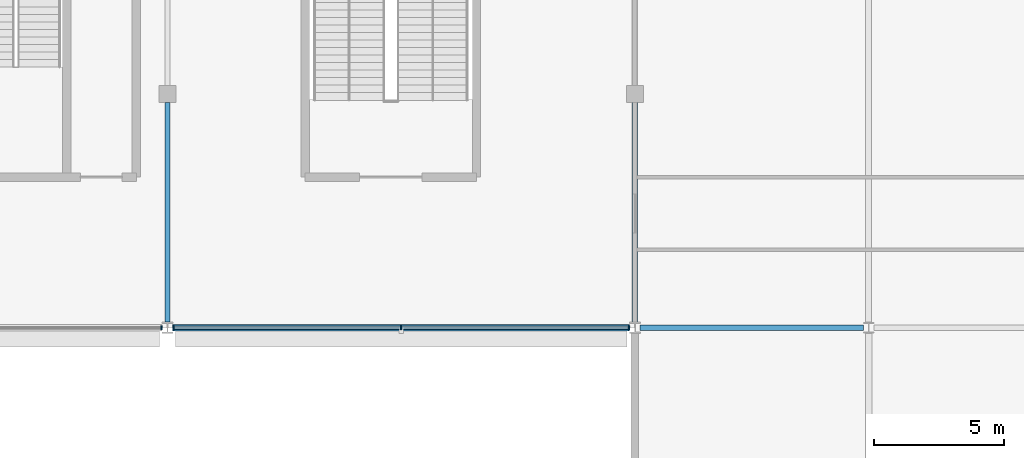
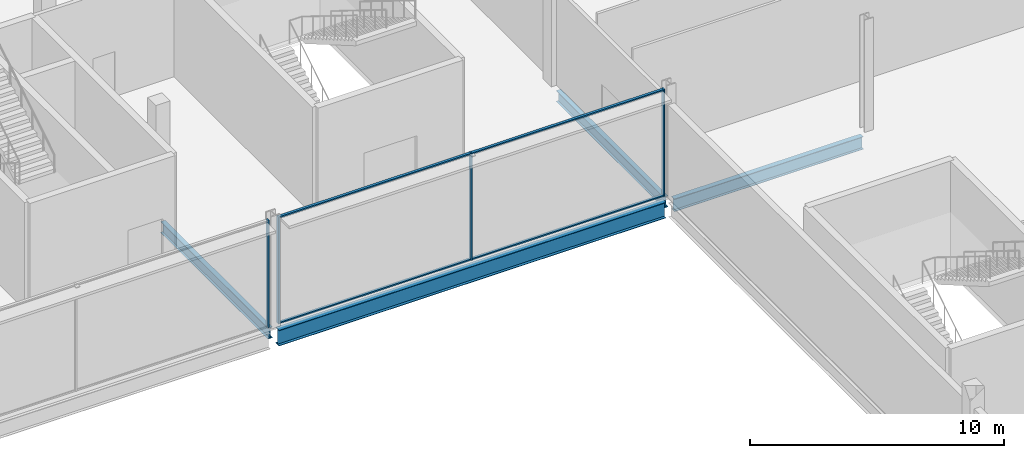
# One storey, part 49 of 111: 8 members, 4 beams, 2 elements without a shape of their own.
"""IFC4 building model written with IfcOpenShell, lengths in metres."""

import ifcopenshell
import ifcopenshell.guid

model = None  # the IFC model being written
_history = None  # IfcOwnerHistory: only IFC2X3 demands one
_inside = {}  # id of a spatial element -> (the spatial element, [elements in it])
_under = {}  # id of a project, library or spatial element -> (it, [spatial elements below it])
_declared = {}  # id of a project -> (the project, [libraries it declares])
_typed = {}  # id of a type object -> (the type object, [elements of that type])
_made_of = {}  # id of a material, layer set ... -> (it, [elements and type objects made of it])


def new_model(schema):
    """Start an empty IFC model of exactly this schema.

    Asked for "IFC4X3", IfcOpenShell would pick the latest addendum, in which some entities
    have other attributes; the version numbers below select the first issue.
    IFC2X3 requires an IfcOwnerHistory on every rooted entity: one is made here for all.
    """
    global model, _history
    if schema == "IFC4X3":
        model = ifcopenshell.file(schema_version=(4, 3, 0, 0))
    else:
        model = ifcopenshell.file(schema=schema)
    _inside.clear()
    _under.clear()
    _declared.clear()
    _typed.clear()
    _made_of.clear()
    _history = None
    if model.schema == "IFC2X3":
        org = make("IfcOrganization", Name="unknown")
        user = make(
            "IfcPersonAndOrganization",
            ThePerson=make("IfcPerson", FamilyName="unknown"),
            TheOrganization=org,
        )
        app = make(
            "IfcApplication",
            ApplicationDeveloper=org,
            Version="unknown",
            ApplicationFullName="unknown",
            ApplicationIdentifier="unknown",
        )
        _history = make(
            "IfcOwnerHistory",
            OwningUser=user,
            OwningApplication=app,
            ChangeAction="ADDED",
            CreationDate=0,
        )
    return model


def make(cls, **values):
    """One entity of the class cls with the attributes given. An attribute that is None is left unset."""
    return model.create_entity(
        cls, **{name: value for name, value in values.items() if value is not None}
    )


def rooted(cls, **values):
    """An entity with a GlobalId (a new one), such as an element, a storey or a relation."""
    return make(cls, GlobalId=ifcopenshell.guid.new(), OwnerHistory=_history, **values)


def si_unit(unit_type, name, prefix=None):
    """IfcSIUnit, for example si_unit("LENGTHUNIT", "METRE", prefix="MILLI")."""
    return make("IfcSIUnit", UnitType=unit_type, Prefix=prefix, Name=name)


def assignment(units):
    """IfcUnitAssignment: the units of a project."""
    return None if units is None else make("IfcUnitAssignment", Units=units)


def point(xyz):
    """IfcCartesianPoint."""
    return None if xyz is None else make("IfcCartesianPoint", Coordinates=xyz)


def direction(xyz):
    """IfcDirection."""
    return None if xyz is None else make("IfcDirection", DirectionRatios=xyz)


def frame(location, z_axis=None, x_axis=None):
    """IfcAxis2Placement3D, a coordinate frame: its origin and axes. An axis left out is left unset."""
    return make(
        "IfcAxis2Placement3D",
        Location=point(location),
        Axis=direction(z_axis),
        RefDirection=direction(x_axis),
    )


def frame_2d(location, x_axis=None):
    """IfcAxis2Placement2D, a coordinate frame in the plane: its origin and x axis."""
    return make(
        "IfcAxis2Placement2D", Location=point(location), RefDirection=direction(x_axis)
    )


def origin():
    """The frame at (0, 0, 0) with its axes left unset."""
    return frame((0.0, 0.0, 0.0))


def origin_2d():
    """The frame at (0, 0) in the plane with its x axis left unset."""
    return frame_2d((0.0, 0.0))


def place(relative_to, where):
    """IfcLocalPlacement: puts the frame where relative to a parent placement (None: the world)."""
    return make(
        "IfcLocalPlacement", PlacementRelTo=relative_to, RelativePlacement=where
    )


def context(
    kind, dimensions, precision=None, world=None, true_north=None, identifier=None
):
    """IfcGeometricRepresentationContext, for example the 3D "Model" context."""
    return make(
        "IfcGeometricRepresentationContext",
        ContextIdentifier=identifier,
        ContextType=kind,
        CoordinateSpaceDimension=dimensions,
        Precision=precision,
        WorldCoordinateSystem=world,
        TrueNorth=true_north,
    )


def subcontext(parent, identifier, kind, view, scale=None):
    """IfcGeometricRepresentationSubContext, for example "Body" below "Model"."""
    return make(
        "IfcGeometricRepresentationSubContext",
        ContextIdentifier=identifier,
        ContextType=kind,
        ParentContext=parent,
        TargetScale=scale,
        TargetView=view,
    )


def project(units=None, contexts=None):
    """IfcProject with its units and contexts."""
    return rooted(
        "IfcProject",
        Name="project",
        RepresentationContexts=contexts,
        UnitsInContext=assignment(units),
    )


def spatial(cls, under=None, at=None, **own):
    """A site, building, storey or space (cls), placed at a placement, below another one or the project."""
    s = rooted(cls, ObjectPlacement=at, **own)
    if under is not None:
        _under.setdefault(under.id(), (under, []))[1].append(s)
    return s


def profile(cls, at=None, kind="AREA", **sizes):
    """A parametric profile (cls). Its sizes go by their IFC names, for example OverallWidth=200.0."""
    return make(cls, ProfileType=kind, Position=at, **sizes)


def rectangle(**sizes):
    """IfcRectangleProfileDef."""
    return profile("IfcRectangleProfileDef", **sizes)


def i_section(**sizes):
    """IfcIShapeProfileDef."""
    return profile("IfcIShapeProfileDef", **sizes)


def extrude(swept, where, along, depth):
    """IfcExtrudedAreaSolid: the profile swept, set in the frame where, extruded along a direction by depth."""
    return make(
        "IfcExtrudedAreaSolid",
        SweptArea=swept,
        Position=where,
        ExtrudedDirection=direction(along),
        Depth=depth,
    )


def shape(context_of_items, identifier, shape_type, items):
    """IfcShapeRepresentation: the items that make up one representation, for example the "Body"."""
    return make(
        "IfcShapeRepresentation",
        ContextOfItems=context_of_items,
        RepresentationIdentifier=identifier,
        RepresentationType=shape_type,
        Items=items,
    )


def material(Name=None, Category=None):
    """IfcMaterial."""
    return make("IfcMaterial", Name=Name, Category=Category)


def layer(
    of_material, thickness, ventilated=None, Name=None, Category=None, Priority=None
):
    """IfcMaterialLayer: one layer of a wall or slab, of a material (None: an air gap)."""
    return make(
        "IfcMaterialLayer",
        Material=of_material,
        LayerThickness=thickness,
        IsVentilated=ventilated,
        Name=Name,
        Category=Category,
        Priority=Priority,
    )


def layer_set(layers, Name=None):
    """IfcMaterialLayerSet."""
    return make("IfcMaterialLayerSet", MaterialLayers=layers, LayerSetName=Name)


def material_profile(
    of_material, cross_section, Name=None, Category=None, Priority=None
):
    """IfcMaterialProfile: a cross section and its material."""
    return make(
        "IfcMaterialProfile",
        Name=Name,
        Material=of_material,
        Profile=cross_section,
        Priority=Priority,
        Category=Category,
    )


def profile_set(profiles, Name=None, composite=None):
    """IfcMaterialProfileSet."""
    return make(
        "IfcMaterialProfileSet",
        Name=Name,
        MaterialProfiles=profiles,
        CompositeProfile=composite,
    )


def made_of(thing, what):
    """Note that an element or type object is made of a material, layer set ...; save() writes the relation."""
    if what is not None:
        _made_of.setdefault(what.id(), (what, []))[1].append(thing)
    return thing


def type_object(cls, material=None, **own):
    """A type object (cls), such as IfcWallType, which elements share."""
    return made_of(rooted(cls, **own), material)


def element(
    cls,
    number,
    at=None,
    inside=None,
    cuts=None,
    type_object=None,
    material=None,
    context=None,
    identifier="Body",
    shape_type=None,
    held_by="IfcProductDefinitionShape",
    body=None,
    shapes=None,
    **own,
):
    """One element of the class cls, such as IfcWall. Its Tag is "e" and its number.

    at: its placement. inside: the storey or other place that contains it. cuts: it is an
    opening in that element (IfcRelVoidsElement). A single representation is given by context,
    identifier, shape_type and body (its items); several are given by shapes. held_by: the class
    of the entity that holds the representations. save() writes the other relations.
    """
    e = rooted(cls, Tag="e%d" % number, ObjectPlacement=at, **own)
    if body is not None:
        shapes = [shape(context, identifier, shape_type, body)]
    if shapes is not None:
        e.Representation = make(held_by, Representations=shapes)
    if inside is not None:
        _inside.setdefault(inside.id(), (inside, []))[1].append(e)
    if cuts is not None:
        rooted(
            "IfcRelVoidsElement", RelatingBuildingElement=cuts, RelatedOpeningElement=e
        )
    if type_object is not None:
        _typed.setdefault(type_object.id(), (type_object, []))[1].append(e)
    return made_of(e, material)


def aggregate(whole, parts):
    """IfcRelAggregates: a whole, such as a stair, and the parts it consists of."""
    return rooted("IfcRelAggregates", RelatingObject=whole, RelatedObjects=parts)


def save(model, path):
    """Write the relations noted so far, then the file.

    IfcRelAggregates (storeys below a building ...), IfcRelContainedInSpatialStructure (elements
    in a storey), IfcRelDefinesByType, IfcRelAssociatesMaterial and IfcRelDeclares: one each for
    every whole, place, type object, material and project.
    """
    for whole, parts in _under.values():
        aggregate(whole, parts)
    for where, things in _inside.values():
        rooted(
            "IfcRelContainedInSpatialStructure",
            RelatedElements=things,
            RelatingStructure=where,
        )
    for kind, things in _typed.values():
        rooted("IfcRelDefinesByType", RelatedObjects=things, RelatingType=kind)
    for what, things in _made_of.values():
        rooted("IfcRelAssociatesMaterial", RelatedObjects=things, RelatingMaterial=what)
    for by, libraries in _declared.values():
        rooted("IfcRelDeclares", RelatingContext=by, RelatedDefinitions=libraries)
    model.write(path)


model = new_model("IFC4")

# Units and contexts
model_context = context("Model", 3, precision=1e-05, world=origin(), true_north=direction((0.0, 1.0)))
body_context = subcontext(model_context, "Body", "Model", "MODEL_VIEW")
ifc_project = project(units=[si_unit("LENGTHUNIT", "METRE"), si_unit("AREAUNIT", "SQUARE_METRE"), si_unit("VOLUMEUNIT", "CUBIC_METRE"), si_unit("PLANEANGLEUNIT", "RADIAN"), si_unit("MASSUNIT", "GRAM", prefix="KILO")], contexts=[model_context])

# Site, building, storey
site_placement = place(None, origin())
site = spatial("IfcSite", under=ifc_project, at=site_placement, CompositionType="ELEMENT")
building_placement = place(site_placement, origin())
building = spatial("IfcBuilding", under=site, at=building_placement, Name="Kisiwana Market Hall", CompositionType="ELEMENT")
storey_placement = place(building_placement, frame((0.0, 0.0, 11.39990234375)))
storey = spatial("IfcBuildingStorey", under=building, at=storey_placement, Name="L02", CompositionType="ELEMENT", Elevation=11.39990234375)

# Beams
ifc_material_1 = material(Name="Steel S355", Category="steel")
ifc_material_profile_1 = material_profile(ifc_material_1, i_section(OverallWidth=0.209228515625, OverallDepth=0.533203125, WebThickness=0.010009765625, FlangeThickness=0.015625, at=origin_2d()), Name="UB 533x210x92")
ifc_profile_set_1 = profile_set([ifc_material_profile_1], Name="Steel S355")
beam_type_1 = type_object("IfcBeamType", Name="BM-GIRD-UB533", PredefinedType="BEAM", material=ifc_profile_set_1)
for number, where, z_axis, x_axis, name in (
    (1, (135.0, 84.21337890625, -0.516357421875), (0.0, 1.0, 0.0), (-1.0, 0.0, 0.0), "Primary girder B-0658"),
    (2, (153.0, 84.21337890625, -0.516357421875), (0.0, 1.0, 0.0), (-1.0, 0.0, 0.0), "Primary girder B-0665"),
):
    element("IfcBeam", number, at=place(storey_placement, frame(where, z_axis=z_axis, x_axis=x_axis)), inside=storey, type_object=beam_type_1, Name=name, PredefinedType="BEAM", context=body_context, shape_type="SweptSolid", body=[
        extrude(i_section(OverallWidth=0.209228515625, OverallDepth=0.533203125, WebThickness=0.010009765625, FlangeThickness=0.015625, at=origin_2d()), origin(), (0.0, 0.0, 1.0), 8.465576171875),
    ])
ifc_material_2 = material(Name="Steel S355", Category="steel")
ifc_material_profile_2 = material_profile(ifc_material_2, i_section(OverallWidth=0.22900390625, OverallDepth=0.6123046875, WebThickness=0.011962890625, FlangeThickness=0.01953125, at=origin_2d()), Name="UB 610x229x125")
ifc_profile_set_2 = profile_set([ifc_material_profile_2], Name="Steel S355")
beam_type_2 = type_object("IfcBeamType", Name="BM-GIRD-UB610H", PredefinedType="BEAM", material=ifc_profile_set_2)
beam_1_placement = place(storey_placement, frame((153.201904296875, 84.0, -0.555908203125), z_axis=(1.0, 0.0, 0.0), x_axis=(0.0, 1.0, 0.0)))
element("IfcBeam", 3, at=beam_1_placement, inside=storey, type_object=beam_type_2, Name="Floor beam B-0785", PredefinedType="BEAM", context=body_context, shape_type="SweptSolid", body=[
    extrude(i_section(OverallWidth=0.22900390625, OverallDepth=0.6123046875, WebThickness=0.011962890625, FlangeThickness=0.01953125, at=origin_2d()), origin(), (0.0, 0.0, 1.0), 8.59619140625),
])
ifc_material_3 = material(Name="Steel S355", Category="steel")
ifc_material_profile_3 = material_profile(ifc_material_3, i_section(OverallWidth=0.2666015625, OverallDepth=0.76220703125, WebThickness=0.014404296875, FlangeThickness=0.021484375, at=origin_2d()), Name="UB 762x267x173")
ifc_profile_set_3 = profile_set([ifc_material_profile_3], Name="Steel S355")
beam_type_3 = type_object("IfcBeamType", Name="BM-GIRD-UB762", PredefinedType="BEAM", material=ifc_profile_set_3)
beam_2_placement = place(storey_placement, frame((135.201904296875, 84.0, -0.631103515625), z_axis=(1.0, 0.0, 0.0), x_axis=(0.0, 1.0, 0.0)))
element("IfcBeam", 4, at=beam_2_placement, inside=storey, type_object=beam_type_3, Name="Floor beam B-0784", PredefinedType="BEAM", context=body_context, shape_type="SweptSolid", body=[
    extrude(i_section(OverallWidth=0.2666015625, OverallDepth=0.76220703125, WebThickness=0.014404296875, FlangeThickness=0.021484375, at=origin_2d()), origin(), (0.0, 0.0, 1.0), 17.59619140625),
])

# Curtain wall, member
ifc_material_4 = material(Name="Double-glazed solar-control low-E IGU", Category="glass")
ifc_layer = layer(ifc_material_4, 0.159912109375)
ifc_layer_set = layer_set([ifc_layer], Name="CW-GLD-W-6400")
curtain_wall_type = type_object("IfcCurtainWallType", Name="CW-GLD-W-6400", PredefinedType="USERDEFINED", material=ifc_layer_set)
curtain_wall_1_placement = place(storey_placement, origin())
curtain_wall_1 = element("IfcCurtainWall", 5, at=curtain_wall_1_placement, inside=storey, type_object=curtain_wall_type, Name="Unitised curtain wall CW-077 (L02)", ObjectType="UNITISED CURTAIN WALL", PredefinedType="USERDEFINED")
ifc_material_5 = material(Name="Aluminium alloy 6063-T6", Category="aluminium")
ifc_material_profile_4 = material_profile(ifc_material_5, rectangle(XDim=0.06005859375, YDim=0.159912109375, at=origin_2d()), Name="ALU MULLION 60x160")
ifc_profile_set_4 = profile_set([ifc_material_profile_4], Name="Aluminium alloy 6063-T6")
member_type_1 = type_object("IfcMemberType", Name="CW-MULL-60x160", PredefinedType="MULLION", material=ifc_profile_set_4)
member_1_placement = place(storey_placement, frame((134.763916015625, 84.0, 0.0), z_axis=(0.0, 0.0, 1.0), x_axis=(1.0, 0.0, 0.0)))
member_1 = element("IfcMember", 6, at=member_1_placement, type_object=member_type_1, Name="CW-077 mullion 3", PredefinedType="MULLION", context=body_context, shape_type="SweptSolid", body=[
    extrude(rectangle(XDim=0.06005859375, YDim=0.159912109375, at=origin_2d()), origin(), (0.0, 0.0, 1.0), 5.150146484375),
])
aggregate(curtain_wall_1, [member_1])

# Curtain wall, members
curtain_wall_2_placement = place(storey_placement, origin())
curtain_wall_2 = element("IfcCurtainWall", 7, at=curtain_wall_2_placement, inside=storey, type_object=curtain_wall_type, Name="Unitised curtain wall CW-078 (L02)", ObjectType="UNITISED CURTAIN WALL", PredefinedType="USERDEFINED")
member_2_placement = place(storey_placement, frame((135.236083984375, 84.0, 0.0), z_axis=(0.0, 0.0, 1.0), x_axis=(1.0, 0.0, 0.0)))
member_2 = element("IfcMember", 8, at=member_2_placement, type_object=member_type_1, Name="CW-078 mullion 1", PredefinedType="MULLION", context=body_context, shape_type="SweptSolid", body=[
    extrude(rectangle(XDim=0.06005859375, YDim=0.159912109375, at=origin_2d()), origin(), (0.0, 0.0, 1.0), 5.150146484375),
])
member_3_placement = place(storey_placement, frame((144.0, 84.0, 0.0), z_axis=(0.0, 0.0, 1.0), x_axis=(1.0, 0.0, 0.0)))
member_3 = element("IfcMember", 9, at=member_3_placement, type_object=member_type_1, Name="CW-078 mullion 2", PredefinedType="MULLION", context=body_context, shape_type="SweptSolid", body=[
    extrude(rectangle(XDim=0.06005859375, YDim=0.159912109375, at=origin_2d()), origin(), (0.0, 0.0, 1.0), 5.150146484375),
])
member_4_placement = place(storey_placement, frame((152.763916015625, 84.0, 0.0), z_axis=(0.0, 0.0, 1.0), x_axis=(1.0, 0.0, 0.0)))
member_4 = element("IfcMember", 10, at=member_4_placement, type_object=member_type_1, Name="CW-078 mullion 3", PredefinedType="MULLION", context=body_context, shape_type="SweptSolid", body=[
    extrude(rectangle(XDim=0.06005859375, YDim=0.159912109375, at=origin_2d()), origin(), (0.0, 0.0, 1.0), 5.150146484375),
])
ifc_material_6 = material(Name="Aluminium alloy 6063-T6", Category="aluminium")
ifc_material_profile_5 = material_profile(ifc_material_6, rectangle(XDim=0.1201171875, YDim=0.06005859375, at=origin_2d()), Name="ALU TRANSOM 60x120")
ifc_profile_set_5 = profile_set([ifc_material_profile_5], Name="Aluminium alloy 6063-T6")
member_type_2 = type_object("IfcMemberType", Name="CW-TRAN-60x120", PredefinedType="USERDEFINED", material=ifc_profile_set_5)
member_5_placement = place(storey_placement, frame((135.26611328125, 84.0, 0.030029296875), z_axis=(1.0, 0.0, 0.0), x_axis=(0.0, 1.0, 0.0)))
member_5 = element("IfcMember", 11, at=member_5_placement, type_object=member_type_2, Name="CW-078 transom 1.1", ObjectType="TRANSOM", PredefinedType="USERDEFINED", context=body_context, shape_type="SweptSolid", body=[
    extrude(rectangle(XDim=0.1201171875, YDim=0.06005859375, at=origin_2d()), origin(), (0.0, 0.0, 1.0), 8.703857421875),
])
member_6_placement = place(storey_placement, frame((135.26611328125, 84.0, 5.1201171875), z_axis=(1.0, 0.0, 0.0), x_axis=(0.0, 1.0, 0.0)))
member_6 = element("IfcMember", 12, at=member_6_placement, type_object=member_type_2, Name="CW-078 transom 1.2", ObjectType="TRANSOM", PredefinedType="USERDEFINED", context=body_context, shape_type="SweptSolid", body=[
    extrude(rectangle(XDim=0.1201171875, YDim=0.06005859375, at=origin_2d()), origin(), (0.0, 0.0, 1.0), 8.703857421875),
])
member_7_placement = place(storey_placement, frame((144.030029296875, 84.0, 0.030029296875), z_axis=(1.0, 0.0, 0.0), x_axis=(0.0, 1.0, 0.0)))
member_7 = element("IfcMember", 13, at=member_7_placement, type_object=member_type_2, Name="CW-078 transom 2.1", ObjectType="TRANSOM", PredefinedType="USERDEFINED", context=body_context, shape_type="SweptSolid", body=[
    extrude(rectangle(XDim=0.1201171875, YDim=0.06005859375, at=origin_2d()), origin(), (0.0, 0.0, 1.0), 8.703857421875),
])
member_8_placement = place(storey_placement, frame((144.030029296875, 84.0, 5.1201171875), z_axis=(1.0, 0.0, 0.0), x_axis=(0.0, 1.0, 0.0)))
member_8 = element("IfcMember", 14, at=member_8_placement, type_object=member_type_2, Name="CW-078 transom 2.2", ObjectType="TRANSOM", PredefinedType="USERDEFINED", context=body_context, shape_type="SweptSolid", body=[
    extrude(rectangle(XDim=0.1201171875, YDim=0.06005859375, at=origin_2d()), origin(), (0.0, 0.0, 1.0), 8.703857421875),
])
aggregate(curtain_wall_2, [member_2, member_3, member_4, member_5, member_6, member_7, member_8])

save(model, "model.ifc")
